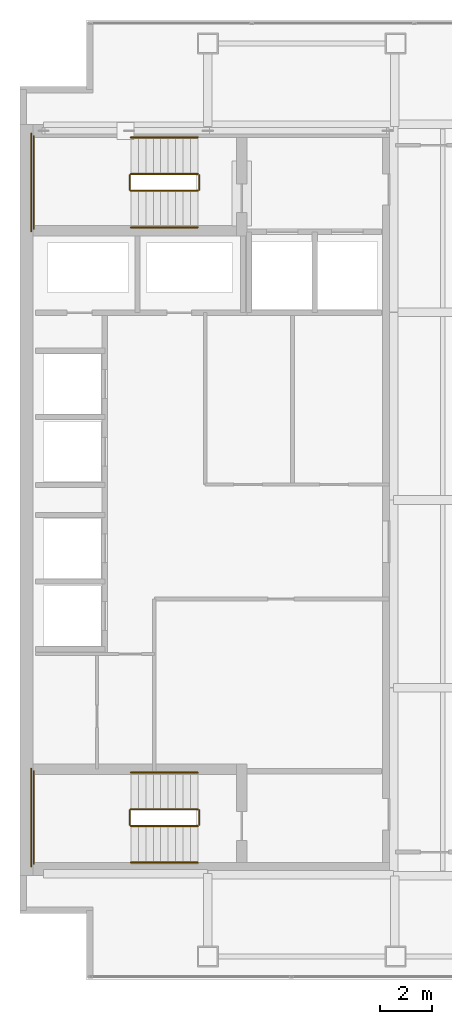
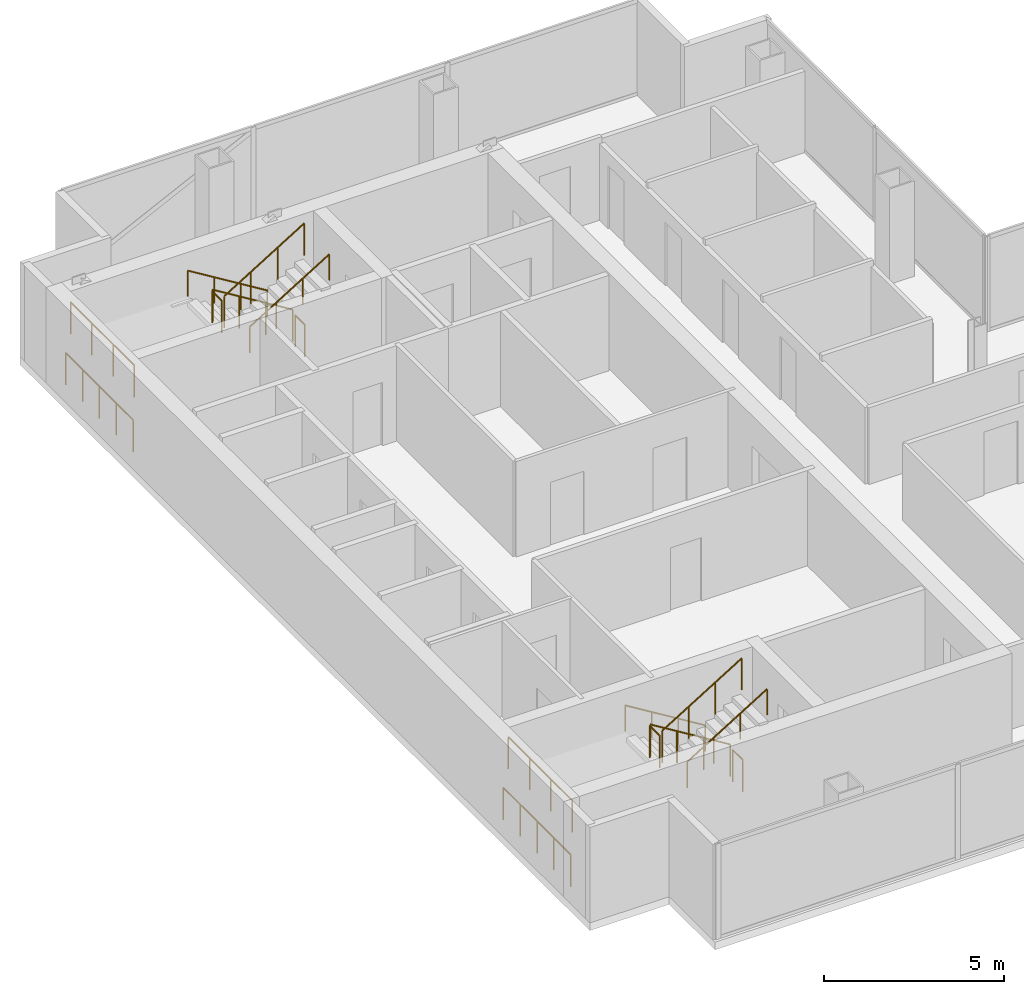
# One storey, part 23 of 23: 16 railings.
"""IFC4 building model written with IfcOpenShell, lengths in metres."""

from ifc_helpers import new_model, si_unit, direction, frame, origin, origin_2d, place, context, subcontext, project, spatial, circle, extrude, material, type_object, element, save


model = new_model("IFC4")

# Units and contexts
model_context = context("Model", 3, precision=1e-05, world=origin(), true_north=direction((0.0, 1.0)))
body_context = subcontext(model_context, "Body", "Model", "MODEL_VIEW")
ifc_project = project(units=[si_unit("LENGTHUNIT", "METRE"), si_unit("AREAUNIT", "SQUARE_METRE"), si_unit("VOLUMEUNIT", "CUBIC_METRE"), si_unit("PLANEANGLEUNIT", "RADIAN"), si_unit("MASSUNIT", "GRAM", prefix="KILO")], contexts=[model_context])

# Site, building, storey
site_placement = place(None, origin())
site = spatial("IfcSite", under=ifc_project, at=site_placement, CompositionType="ELEMENT")
building_placement = place(site_placement, origin())
building = spatial("IfcBuilding", under=site, at=building_placement, Name="Cobrela Telecom Tower", CompositionType="ELEMENT")
storey_placement = place(building_placement, frame((0.0, 0.0, 194.25)))
storey = spatial("IfcBuildingStorey", under=building, at=storey_placement, Name="L49", CompositionType="ELEMENT", Elevation=194.25)

# Railings
ifc_material = material(Name="Steel ASTM A36", Category="steel")
railing_type_1 = type_object("IfcRailingType", Name="RAIL-GUARD-1100", PredefinedType="GUARDRAIL", material=ifc_material)
railing_1_placement = place(storey_placement, frame((6.820068359375, 34.10009765625, 0.175048828125)))
element("IfcRailing", 1, at=railing_1_placement, inside=storey, type_object=railing_type_1, Name="L49 ST1 stair guard 1", PredefinedType="GUARDRAIL", context=body_context, shape_type="SweptSolid", body=[
    extrude(circle(Radius=0.02392578125, at=origin_2d()), frame((0.0, 0.0, 1.076171875), z_axis=(-0.852195335862, 0.0, 0.523223766217), x_axis=(0.0, -1.0, 0.0)), (0.0, 0.0, 1.0), 3.010009765625),
    extrude(circle(Radius=0.02099609375, at=origin_2d()), origin(), (0.0, 0.0, 1.0), 1.052001953125),
    extrude(circle(Radius=0.02099609375, at=origin_2d()), frame((-0.85498046875, 0.0, 0.52490234375)), (0.0, 0.0, 1.0), 1.052001953125),
    extrude(circle(Radius=0.02099609375, at=origin_2d()), frame((-1.710205078125, 0.0, 1.050048828125)), (0.0, 0.0, 1.0), 1.052001953125),
    extrude(circle(Radius=0.02099609375, at=origin_2d()), frame((-2.565185546875, 0.0, 1.574951171875)), (0.0, 0.0, 1.0), 1.052001953125),
])
railing_2_placement = place(storey_placement, frame((4.205078125, 34.050048828125, 1.75)))
element("IfcRailing", 2, at=railing_2_placement, inside=storey, type_object=railing_type_1, Name="L49 ST1 stair guard 2", PredefinedType="GUARDRAIL", context=body_context, shape_type="SweptSolid", body=[
    extrude(circle(Radius=0.02392578125, at=origin_2d()), frame((0.0, 0.0, 1.076171875), z_axis=(0.0, -1.0, 0.0), x_axis=(1.0, 0.0, 0.0)), (0.0, 0.0, 1.0), 0.550048828125),
    extrude(circle(Radius=0.02099609375, at=origin_2d()), origin(), (0.0, 0.0, 1.0), 1.052001953125),
    extrude(circle(Radius=0.02099609375, at=origin_2d()), frame((0.0, -0.550048828125, 0.0)), (0.0, 0.0, 1.0), 1.052001953125),
])
railing_3_placement = place(storey_placement, frame((0.530029296875, 35.550048828125, 1.75)))
element("IfcRailing", 3, at=railing_3_placement, inside=storey, type_object=railing_type_1, Name="L49 ST1 stair guard 3", PredefinedType="GUARDRAIL", context=body_context, shape_type="SweptSolid", body=[
    extrude(circle(Radius=0.02392578125, at=origin_2d()), frame((0.0, 0.0, 1.076171875), z_axis=(0.0, -1.0, 0.0), x_axis=(1.0, 0.0, 0.0)), (0.0, 0.0, 1.0), 3.550048828125),
    extrude(circle(Radius=0.02099609375, at=origin_2d()), origin(), (0.0, 0.0, 1.0), 1.052001953125),
    extrude(circle(Radius=0.02099609375, at=origin_2d()), frame((0.0, -1.183349609375, 0.0)), (0.0, 0.0, 1.0), 1.052001953125),
    extrude(circle(Radius=0.02099609375, at=origin_2d()), frame((0.0, -2.36669921875, 0.0)), (0.0, 0.0, 1.0), 1.052001953125),
    extrude(circle(Radius=0.02099609375, at=origin_2d()), frame((0.0, -3.550048828125, 0.0)), (0.0, 0.0, 1.0), 1.052001953125),
])
railing_4_placement = place(storey_placement, frame((4.2548828125, 33.449951171875, 1.925048828125)))
element("IfcRailing", 4, at=railing_4_placement, inside=storey, type_object=railing_type_1, Name="L49 ST1 stair guard 4", PredefinedType="GUARDRAIL", context=body_context, shape_type="SweptSolid", body=[
    extrude(circle(Radius=0.02392578125, at=origin_2d()), frame((0.0, 0.0, 1.076171875), z_axis=(0.852195335862, 0.0, 0.523223766217), x_axis=(0.0, 1.0, 0.0)), (0.0, 0.0, 1.0), 3.010009765625),
    extrude(circle(Radius=0.02099609375, at=origin_2d()), origin(), (0.0, 0.0, 1.0), 1.052001953125),
    extrude(circle(Radius=0.02099609375, at=origin_2d()), frame((0.85498046875, 0.0, 0.52490234375)), (0.0, 0.0, 1.0), 1.052001953125),
    extrude(circle(Radius=0.02099609375, at=origin_2d()), frame((1.710205078125, 0.0, 1.050048828125)), (0.0, 0.0, 1.0), 1.052001953125),
    extrude(circle(Radius=0.02099609375, at=origin_2d()), frame((2.565185546875, 0.0, 1.574951171875)), (0.0, 0.0, 1.0), 1.052001953125),
])
railing_5_placement = place(storey_placement, frame((6.8701171875, 34.050048828125, 0.0)))
element("IfcRailing", 5, at=railing_5_placement, inside=storey, type_object=railing_type_1, Name="L49 ST1 stair guard 5", PredefinedType="GUARDRAIL", context=body_context, shape_type="SweptSolid", body=[
    extrude(circle(Radius=0.02392578125, at=origin_2d()), frame((0.0, 0.0, 1.076171875), z_axis=(0.0, -1.0, 0.0), x_axis=(1.0, 0.0, 0.0)), (0.0, 0.0, 1.0), 0.550048828125),
    extrude(circle(Radius=0.02099609375, at=origin_2d()), origin(), (0.0, 0.0, 1.0), 1.052001953125),
    extrude(circle(Radius=0.02099609375, at=origin_2d()), frame((0.0, -0.550048828125, 0.0)), (0.0, 0.0, 1.0), 1.052001953125),
])
railing_6_placement = place(storey_placement, frame((0.429931640625, 35.64990234375, 0.0)))
element("IfcRailing", 6, at=railing_6_placement, inside=storey, type_object=railing_type_1, Name="L49 ST1 stair guard 6", PredefinedType="GUARDRAIL", context=body_context, shape_type="SweptSolid", body=[
    extrude(circle(Radius=0.02392578125, at=origin_2d()), frame((0.0, 0.0, 1.076171875), z_axis=(0.0, -1.0, 0.0), x_axis=(1.0, 0.0, 0.0)), (0.0, 0.0, 1.0), 3.75),
    extrude(circle(Radius=0.02099609375, at=origin_2d()), origin(), (0.0, 0.0, 1.0), 1.052001953125),
    extrude(circle(Radius=0.02099609375, at=origin_2d()), frame((0.0, -0.9375, 0.0)), (0.0, 0.0, 1.0), 1.052001953125),
    extrude(circle(Radius=0.02099609375, at=origin_2d()), frame((0.0, -1.875, 0.0)), (0.0, 0.0, 1.0), 1.052001953125),
    extrude(circle(Radius=0.02099609375, at=origin_2d()), frame((0.0, -2.8125, 0.0)), (0.0, 0.0, 1.0), 1.052001953125),
    extrude(circle(Radius=0.02099609375, at=origin_2d()), frame((0.0, -3.75, 0.0)), (0.0, 0.0, 1.0), 1.052001953125),
])
railing_7_placement = place(storey_placement, frame((6.820068359375, 9.75, 0.175048828125)))
element("IfcRailing", 7, at=railing_7_placement, inside=storey, type_object=railing_type_1, Name="L49 ST2 stair guard 1", PredefinedType="GUARDRAIL", context=body_context, shape_type="SweptSolid", body=[
    extrude(circle(Radius=0.02392578125, at=origin_2d()), frame((0.0, 0.0, 1.076171875), z_axis=(-0.852195335862, 0.0, 0.523223766217), x_axis=(0.0, -1.0, 0.0)), (0.0, 0.0, 1.0), 3.010009765625),
    extrude(circle(Radius=0.02099609375, at=origin_2d()), origin(), (0.0, 0.0, 1.0), 1.052001953125),
    extrude(circle(Radius=0.02099609375, at=origin_2d()), frame((-0.85498046875, 0.0, 0.52490234375)), (0.0, 0.0, 1.0), 1.052001953125),
    extrude(circle(Radius=0.02099609375, at=origin_2d()), frame((-1.710205078125, 0.0, 1.050048828125)), (0.0, 0.0, 1.0), 1.052001953125),
    extrude(circle(Radius=0.02099609375, at=origin_2d()), frame((-2.565185546875, 0.0, 1.574951171875)), (0.0, 0.0, 1.0), 1.052001953125),
])
railing_8_placement = place(storey_placement, frame((4.205078125, 9.699951171875, 1.75)))
element("IfcRailing", 8, at=railing_8_placement, inside=storey, type_object=railing_type_1, Name="L49 ST2 stair guard 2", PredefinedType="GUARDRAIL", context=body_context, shape_type="SweptSolid", body=[
    extrude(circle(Radius=0.02392578125, at=origin_2d()), frame((0.0, 0.0, 1.076171875), z_axis=(0.0, -1.0, 0.0), x_axis=(1.0, 0.0, 0.0)), (0.0, 0.0, 1.0), 0.550048828125),
    extrude(circle(Radius=0.02099609375, at=origin_2d()), origin(), (0.0, 0.0, 1.0), 1.052001953125),
    extrude(circle(Radius=0.02099609375, at=origin_2d()), frame((0.0, -0.550048828125, 0.0)), (0.0, 0.0, 1.0), 1.052001953125),
])
railing_9_placement = place(storey_placement, frame((0.530029296875, 11.199951171875, 1.75)))
element("IfcRailing", 9, at=railing_9_placement, inside=storey, type_object=railing_type_1, Name="L49 ST2 stair guard 3", PredefinedType="GUARDRAIL", context=body_context, shape_type="SweptSolid", body=[
    extrude(circle(Radius=0.02392578125, at=origin_2d()), frame((0.0, 0.0, 1.076171875), z_axis=(0.0, -1.0, 0.0), x_axis=(1.0, 0.0, 0.0)), (0.0, 0.0, 1.0), 3.550048828125),
    extrude(circle(Radius=0.02099609375, at=origin_2d()), origin(), (0.0, 0.0, 1.0), 1.052001953125),
    extrude(circle(Radius=0.02099609375, at=origin_2d()), frame((0.0, -1.183349609375, 0.0)), (0.0, 0.0, 1.0), 1.052001953125),
    extrude(circle(Radius=0.02099609375, at=origin_2d()), frame((0.0, -2.36669921875, 0.0)), (0.0, 0.0, 1.0), 1.052001953125),
    extrude(circle(Radius=0.02099609375, at=origin_2d()), frame((0.0, -3.550048828125, 0.0)), (0.0, 0.0, 1.0), 1.052001953125),
])
railing_10_placement = place(storey_placement, frame((4.2548828125, 9.10009765625, 1.925048828125)))
element("IfcRailing", 10, at=railing_10_placement, inside=storey, type_object=railing_type_1, Name="L49 ST2 stair guard 4", PredefinedType="GUARDRAIL", context=body_context, shape_type="SweptSolid", body=[
    extrude(circle(Radius=0.02392578125, at=origin_2d()), frame((0.0, 0.0, 1.076171875), z_axis=(0.852195335862, 0.0, 0.523223766217), x_axis=(0.0, 1.0, 0.0)), (0.0, 0.0, 1.0), 3.010009765625),
    extrude(circle(Radius=0.02099609375, at=origin_2d()), origin(), (0.0, 0.0, 1.0), 1.052001953125),
    extrude(circle(Radius=0.02099609375, at=origin_2d()), frame((0.85498046875, 0.0, 0.52490234375)), (0.0, 0.0, 1.0), 1.052001953125),
    extrude(circle(Radius=0.02099609375, at=origin_2d()), frame((1.710205078125, 0.0, 1.050048828125)), (0.0, 0.0, 1.0), 1.052001953125),
    extrude(circle(Radius=0.02099609375, at=origin_2d()), frame((2.565185546875, 0.0, 1.574951171875)), (0.0, 0.0, 1.0), 1.052001953125),
])
railing_11_placement = place(storey_placement, frame((6.8701171875, 9.699951171875, 0.0)))
element("IfcRailing", 11, at=railing_11_placement, inside=storey, type_object=railing_type_1, Name="L49 ST2 stair guard 5", PredefinedType="GUARDRAIL", context=body_context, shape_type="SweptSolid", body=[
    extrude(circle(Radius=0.02392578125, at=origin_2d()), frame((0.0, 0.0, 1.076171875), z_axis=(0.0, -1.0, 0.0), x_axis=(1.0, 0.0, 0.0)), (0.0, 0.0, 1.0), 0.550048828125),
    extrude(circle(Radius=0.02099609375, at=origin_2d()), origin(), (0.0, 0.0, 1.0), 1.052001953125),
    extrude(circle(Radius=0.02099609375, at=origin_2d()), frame((0.0, -0.550048828125, 0.0)), (0.0, 0.0, 1.0), 1.052001953125),
])
railing_12_placement = place(storey_placement, frame((0.429931640625, 11.300048828125, 0.0)))
element("IfcRailing", 12, at=railing_12_placement, inside=storey, type_object=railing_type_1, Name="L49 ST2 stair guard 6", PredefinedType="GUARDRAIL", context=body_context, shape_type="SweptSolid", body=[
    extrude(circle(Radius=0.02392578125, at=origin_2d()), frame((0.0, 0.0, 1.076171875), z_axis=(0.0, -1.0, 0.0), x_axis=(1.0, 0.0, 0.0)), (0.0, 0.0, 1.0), 3.75),
    extrude(circle(Radius=0.02099609375, at=origin_2d()), origin(), (0.0, 0.0, 1.0), 1.052001953125),
    extrude(circle(Radius=0.02099609375, at=origin_2d()), frame((0.0, -0.9375, 0.0)), (0.0, 0.0, 1.0), 1.052001953125),
    extrude(circle(Radius=0.02099609375, at=origin_2d()), frame((0.0, -1.875, 0.0)), (0.0, 0.0, 1.0), 1.052001953125),
    extrude(circle(Radius=0.02099609375, at=origin_2d()), frame((0.0, -2.8125, 0.0)), (0.0, 0.0, 1.0), 1.052001953125),
    extrude(circle(Radius=0.02099609375, at=origin_2d()), frame((0.0, -3.75, 0.0)), (0.0, 0.0, 1.0), 1.052001953125),
])
railing_type_2 = type_object("IfcRailingType", Name="RAIL-HAND-920", PredefinedType="HANDRAIL", material=ifc_material)
railing_13_placement = place(storey_placement, frame((6.820068359375, 35.5, 0.175048828125)))
element("IfcRailing", 13, at=railing_13_placement, inside=storey, type_object=railing_type_2, Name="L49 ST1 stair handrail 1", PredefinedType="HANDRAIL", context=body_context, shape_type="SweptSolid", body=[
    extrude(circle(Radius=0.02392578125, at=origin_2d()), frame((0.0, 0.0, 0.8759765625), z_axis=(-0.852195335862, 0.0, 0.523223766217), x_axis=(0.0, -1.0, 0.0)), (0.0, 0.0, 1.0), 3.010009765625),
    extrude(circle(Radius=0.02099609375, at=origin_2d()), origin(), (0.0, 0.0, 1.0), 0.851806640625),
    extrude(circle(Radius=0.02099609375, at=origin_2d()), frame((-0.85498046875, 0.0, 0.52490234375)), (0.0, 0.0, 1.0), 0.851806640625),
    extrude(circle(Radius=0.02099609375, at=origin_2d()), frame((-1.710205078125, 0.0, 1.050048828125)), (0.0, 0.0, 1.0), 0.851806640625),
    extrude(circle(Radius=0.02099609375, at=origin_2d()), frame((-2.565185546875, 0.0, 1.574951171875)), (0.0, 0.0, 1.0), 0.851806640625),
])
railing_14_placement = place(storey_placement, frame((4.2548828125, 32.050048828125, 1.925048828125)))
element("IfcRailing", 14, at=railing_14_placement, inside=storey, type_object=railing_type_2, Name="L49 ST1 stair handrail 2", PredefinedType="HANDRAIL", context=body_context, shape_type="SweptSolid", body=[
    extrude(circle(Radius=0.02392578125, at=origin_2d()), frame((0.0, 0.0, 0.8759765625), z_axis=(0.852195335862, 0.0, 0.523223766217), x_axis=(0.0, 1.0, 0.0)), (0.0, 0.0, 1.0), 3.010009765625),
    extrude(circle(Radius=0.02099609375, at=origin_2d()), origin(), (0.0, 0.0, 1.0), 0.851806640625),
    extrude(circle(Radius=0.02099609375, at=origin_2d()), frame((0.85498046875, 0.0, 0.52490234375)), (0.0, 0.0, 1.0), 0.851806640625),
    extrude(circle(Radius=0.02099609375, at=origin_2d()), frame((1.710205078125, 0.0, 1.050048828125)), (0.0, 0.0, 1.0), 0.851806640625),
    extrude(circle(Radius=0.02099609375, at=origin_2d()), frame((2.565185546875, 0.0, 1.574951171875)), (0.0, 0.0, 1.0), 0.851806640625),
])
railing_15_placement = place(storey_placement, frame((6.820068359375, 11.14990234375, 0.175048828125)))
element("IfcRailing", 15, at=railing_15_placement, inside=storey, type_object=railing_type_2, Name="L49 ST2 stair handrail 1", PredefinedType="HANDRAIL", context=body_context, shape_type="SweptSolid", body=[
    extrude(circle(Radius=0.02392578125, at=origin_2d()), frame((0.0, 0.0, 0.8759765625), z_axis=(-0.852195335862, 0.0, 0.523223766217), x_axis=(0.0, -1.0, 0.0)), (0.0, 0.0, 1.0), 3.010009765625),
    extrude(circle(Radius=0.02099609375, at=origin_2d()), origin(), (0.0, 0.0, 1.0), 0.851806640625),
    extrude(circle(Radius=0.02099609375, at=origin_2d()), frame((-0.85498046875, 0.0, 0.52490234375)), (0.0, 0.0, 1.0), 0.851806640625),
    extrude(circle(Radius=0.02099609375, at=origin_2d()), frame((-1.710205078125, 0.0, 1.050048828125)), (0.0, 0.0, 1.0), 0.851806640625),
    extrude(circle(Radius=0.02099609375, at=origin_2d()), frame((-2.565185546875, 0.0, 1.574951171875)), (0.0, 0.0, 1.0), 0.851806640625),
])
railing_16_placement = place(storey_placement, frame((4.2548828125, 7.699951171875, 1.925048828125)))
element("IfcRailing", 16, at=railing_16_placement, inside=storey, type_object=railing_type_2, Name="L49 ST2 stair handrail 2", PredefinedType="HANDRAIL", context=body_context, shape_type="SweptSolid", body=[
    extrude(circle(Radius=0.02392578125, at=origin_2d()), frame((0.0, 0.0, 0.8759765625), z_axis=(0.852195335862, 0.0, 0.523223766217), x_axis=(0.0, 1.0, 0.0)), (0.0, 0.0, 1.0), 3.010009765625),
    extrude(circle(Radius=0.02099609375, at=origin_2d()), origin(), (0.0, 0.0, 1.0), 0.851806640625),
    extrude(circle(Radius=0.02099609375, at=origin_2d()), frame((0.85498046875, 0.0, 0.52490234375)), (0.0, 0.0, 1.0), 0.851806640625),
    extrude(circle(Radius=0.02099609375, at=origin_2d()), frame((1.710205078125, 0.0, 1.050048828125)), (0.0, 0.0, 1.0), 0.851806640625),
    extrude(circle(Radius=0.02099609375, at=origin_2d()), frame((2.565185546875, 0.0, 1.574951171875)), (0.0, 0.0, 1.0), 0.851806640625),
])

save(model, "model.ifc")
